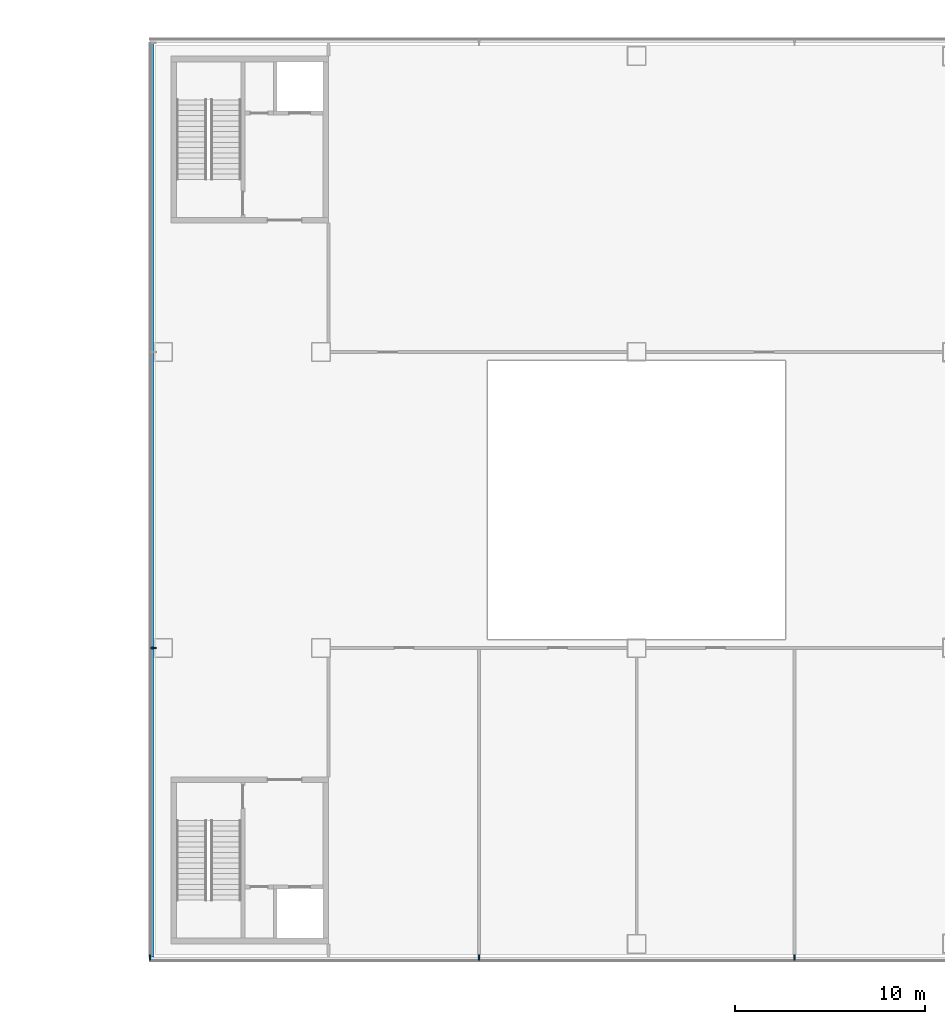
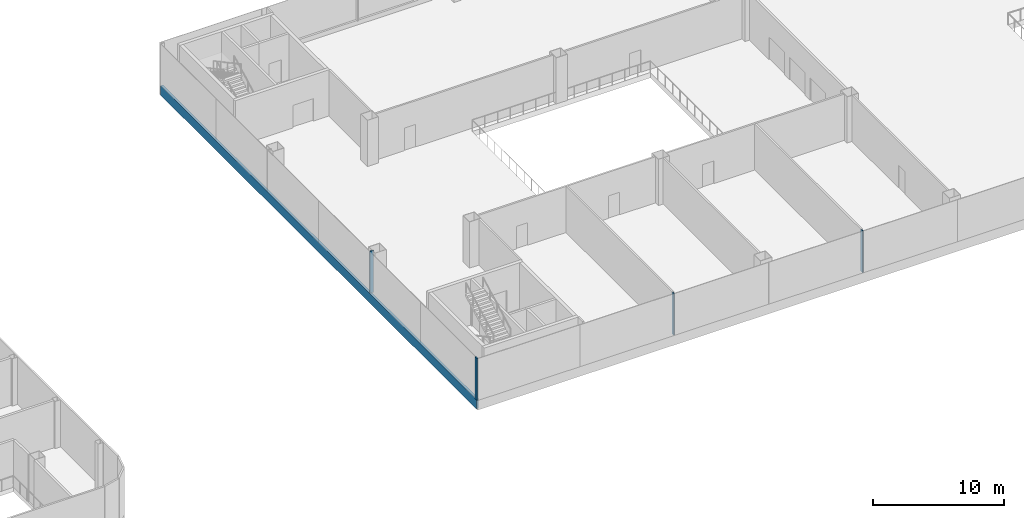
# One storey, part 10 of 53: 5 members, 2 elements without a shape of their own.
"""IFC4 building model written with IfcOpenShell, lengths in metres."""

from ifc_helpers import new_model, si_unit, direction, frame, origin, origin_2d, place, context, subcontext, project, spatial, rectangle, extrude, material, layer, layer_set, material_profile, profile_set, type_object, element, aggregate, save


model = new_model("IFC4")

# Units and contexts
model_context = context("Model", 3, precision=1e-05, world=origin(), true_north=direction((0.0, 1.0)))
body_context = subcontext(model_context, "Body", "Model", "MODEL_VIEW")
ifc_project = project(units=[si_unit("LENGTHUNIT", "METRE"), si_unit("AREAUNIT", "SQUARE_METRE"), si_unit("VOLUMEUNIT", "CUBIC_METRE"), si_unit("PLANEANGLEUNIT", "RADIAN"), si_unit("MASSUNIT", "GRAM", prefix="KILO")], contexts=[model_context])

# Site, building, storey
site_placement = place(None, origin())
site = spatial("IfcSite", under=ifc_project, at=site_placement, CompositionType="ELEMENT")
building_placement = place(site_placement, origin())
building = spatial("IfcBuilding", under=site, at=building_placement, Name="Hakoniwa Tower and Hamabe Station Hall", CompositionType="ELEMENT")
storey_placement = place(building_placement, frame((0.0, 0.0, 15.0)))
storey = spatial("IfcBuildingStorey", under=building, at=storey_placement, Name="L03", CompositionType="ELEMENT", Elevation=15.0)

# Curtain wall, member
ifc_material_1 = material(Name="Dark low-e laminated glass", Category="glass")
ifc_layer = layer(ifc_material_1, 0.199951171875)
ifc_layer_set = layer_set([ifc_layer], Name="CW-7 STATION")
curtain_wall_type = type_object("IfcCurtainWallType", Name="CW-7 STATION", PredefinedType="NOTDEFINED", material=ifc_layer_set)
curtain_wall_1_placement = place(storey_placement, origin())
curtain_wall_1 = element("IfcCurtainWall", 1, at=curtain_wall_1_placement, inside=storey, type_object=curtain_wall_type, Name="Station curtain wall L03 west", PredefinedType="NOTDEFINED")
ifc_material_2 = material(Name="Aluminium 6063-T5 black anodised", Category="aluminium")
ifc_material_profile_1 = material_profile(ifc_material_2, rectangle(XDim=0.199951171875, YDim=0.89990234375, at=origin_2d()), Name="CW SLAB-EDGE BAND 900X200")
ifc_profile_set_1 = profile_set([ifc_material_profile_1], Name="Aluminium 6063-T5 black anodised")
member_type_1 = type_object("IfcMemberType", Name="CW SLAB-EDGE BAND 900X200", PredefinedType="USERDEFINED", material=ifc_profile_set_1)
member_1_placement = place(storey_placement, frame((85.35009765625, 24.10009765625, -0.10009765625), z_axis=(0.0, -1.0, 0.0), x_axis=(1.0, 0.0, 0.0)))
member_1 = element("IfcMember", 2, at=member_1_placement, type_object=member_type_1, Name="CW-7 transom", ObjectType="TRANSOM", PredefinedType="USERDEFINED", context=body_context, shape_type="SweptSolid", body=[
    extrude(rectangle(XDim=0.199951171875, YDim=0.89990234375, at=origin_2d()), origin(), (0.0, 0.0, 1.0), 48.2001953125),
])

# Curtain wall, members
curtain_wall_2_placement = place(storey_placement, origin())
curtain_wall_2 = element("IfcCurtainWall", 3, at=curtain_wall_2_placement, inside=storey, type_object=curtain_wall_type, Name="Station curtain wall L03 south", PredefinedType="NOTDEFINED")
ifc_material_3 = material(Name="Aluminium 6063-T5 black anodised", Category="aluminium")
ifc_material_profile_2 = material_profile(ifc_material_3, rectangle(XDim=0.080078125, YDim=0.300048828125, at=origin_2d()), Name="CW-3 MULLION 80X300")
ifc_profile_set_2 = profile_set([ifc_material_profile_2], Name="Aluminium 6063-T5 black anodised")
member_type_2 = type_object("IfcMemberType", Name="CW-3 MULLION 80X300", PredefinedType="MULLION", material=ifc_profile_set_2)
member_2_placement = place(storey_placement, frame((85.25, -24.1220703125, 0.35009765625), z_axis=(0.0, 0.0, 1.0), x_axis=(1.0, 0.0, 0.0)))
member_2 = element("IfcMember", 4, at=member_2_placement, type_object=member_type_2, Name="CW-7 mullion", PredefinedType="MULLION", context=body_context, shape_type="SweptSolid", body=[
    extrude(rectangle(XDim=0.080078125, YDim=0.300048828125, at=origin_2d()), origin(), (0.0, 0.0, 1.0), 3.89990234375),
])
member_3_placement = place(storey_placement, frame((102.590087890625, -24.1220703125, 0.35009765625), z_axis=(0.0, 0.0, 1.0), x_axis=(1.0, 0.0, 0.0)))
member_3 = element("IfcMember", 5, at=member_3_placement, type_object=member_type_2, Name="CW-7 mullion", PredefinedType="MULLION", context=body_context, shape_type="SweptSolid", body=[
    extrude(rectangle(XDim=0.080078125, YDim=0.300048828125, at=origin_2d()), origin(), (0.0, 0.0, 1.0), 3.89990234375),
])
member_4_placement = place(storey_placement, frame((119.22998046875, -24.1220703125, 0.35009765625), z_axis=(0.0, 0.0, 1.0), x_axis=(1.0, 0.0, 0.0)))
member_4 = element("IfcMember", 6, at=member_4_placement, type_object=member_type_2, Name="CW-7 mullion", PredefinedType="MULLION", context=body_context, shape_type="SweptSolid", body=[
    extrude(rectangle(XDim=0.080078125, YDim=0.300048828125, at=origin_2d()), origin(), (0.0, 0.0, 1.0), 3.89990234375),
])
aggregate(curtain_wall_2, [member_2, member_3, member_4])

# Member
member_5_placement = place(storey_placement, frame((85.427978515625, -7.800048828125, 0.35009765625), z_axis=(0.0, 0.0, 1.0), x_axis=(0.0, -1.0, 0.0)))
member_5 = element("IfcMember", 7, at=member_5_placement, type_object=member_type_2, Name="CW-7 mullion", PredefinedType="MULLION", context=body_context, shape_type="SweptSolid", body=[
    extrude(rectangle(XDim=0.080078125, YDim=0.300048828125, at=origin_2d()), origin(), (0.0, 0.0, 1.0), 3.89990234375),
])

aggregate(curtain_wall_1, [member_5, member_1])

save(model, "model.ifc")
